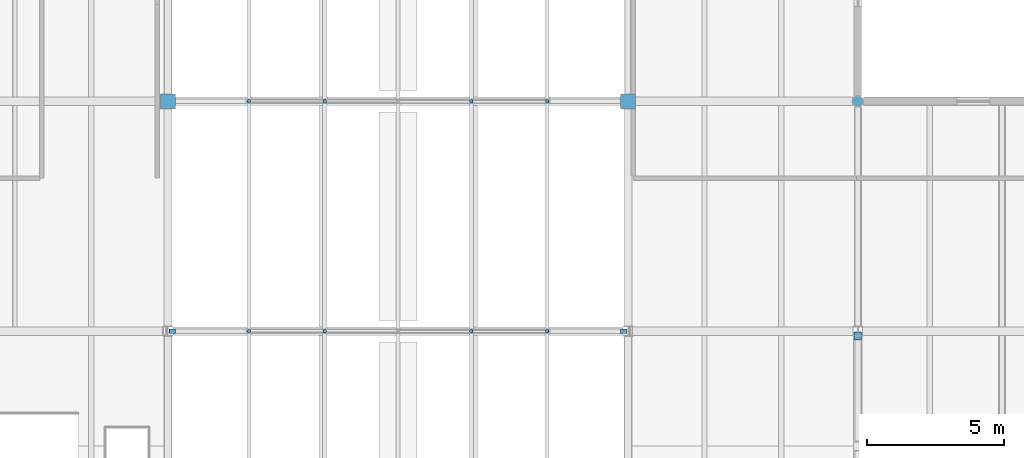
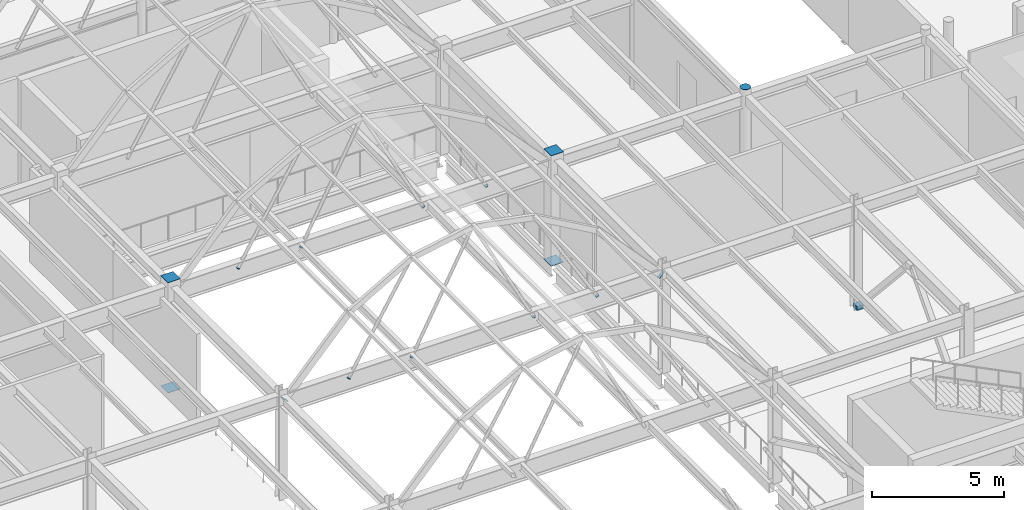
# One storey, part 79 of 103: 16 discrete accessories.
"""IFC4 building model written with IfcOpenShell, lengths in metres."""

import ifcopenshell
import ifcopenshell.guid

model = None  # the IFC model being written
_history = None  # IfcOwnerHistory: only IFC2X3 demands one
_inside = {}  # id of a spatial element -> (the spatial element, [elements in it])
_under = {}  # id of a project, library or spatial element -> (it, [spatial elements below it])
_declared = {}  # id of a project -> (the project, [libraries it declares])
_typed = {}  # id of a type object -> (the type object, [elements of that type])
_made_of = {}  # id of a material, layer set ... -> (it, [elements and type objects made of it])


def new_model(schema):
    """Start an empty IFC model of exactly this schema.

    Asked for "IFC4X3", IfcOpenShell would pick the latest addendum, in which some entities
    have other attributes; the version numbers below select the first issue.
    IFC2X3 requires an IfcOwnerHistory on every rooted entity: one is made here for all.
    """
    global model, _history
    if schema == "IFC4X3":
        model = ifcopenshell.file(schema_version=(4, 3, 0, 0))
    else:
        model = ifcopenshell.file(schema=schema)
    _inside.clear()
    _under.clear()
    _declared.clear()
    _typed.clear()
    _made_of.clear()
    _history = None
    if model.schema == "IFC2X3":
        org = make("IfcOrganization", Name="unknown")
        user = make(
            "IfcPersonAndOrganization",
            ThePerson=make("IfcPerson", FamilyName="unknown"),
            TheOrganization=org,
        )
        app = make(
            "IfcApplication",
            ApplicationDeveloper=org,
            Version="unknown",
            ApplicationFullName="unknown",
            ApplicationIdentifier="unknown",
        )
        _history = make(
            "IfcOwnerHistory",
            OwningUser=user,
            OwningApplication=app,
            ChangeAction="ADDED",
            CreationDate=0,
        )
    return model


def make(cls, **values):
    """One entity of the class cls with the attributes given. An attribute that is None is left unset."""
    return model.create_entity(
        cls, **{name: value for name, value in values.items() if value is not None}
    )


def rooted(cls, **values):
    """An entity with a GlobalId (a new one), such as an element, a storey or a relation."""
    return make(cls, GlobalId=ifcopenshell.guid.new(), OwnerHistory=_history, **values)


def si_unit(unit_type, name, prefix=None):
    """IfcSIUnit, for example si_unit("LENGTHUNIT", "METRE", prefix="MILLI")."""
    return make("IfcSIUnit", UnitType=unit_type, Prefix=prefix, Name=name)


def assignment(units):
    """IfcUnitAssignment: the units of a project."""
    return None if units is None else make("IfcUnitAssignment", Units=units)


def point(xyz):
    """IfcCartesianPoint."""
    return None if xyz is None else make("IfcCartesianPoint", Coordinates=xyz)


def direction(xyz):
    """IfcDirection."""
    return None if xyz is None else make("IfcDirection", DirectionRatios=xyz)


def frame(location, z_axis=None, x_axis=None):
    """IfcAxis2Placement3D, a coordinate frame: its origin and axes. An axis left out is left unset."""
    return make(
        "IfcAxis2Placement3D",
        Location=point(location),
        Axis=direction(z_axis),
        RefDirection=direction(x_axis),
    )


def frame_2d(location, x_axis=None):
    """IfcAxis2Placement2D, a coordinate frame in the plane: its origin and x axis."""
    return make(
        "IfcAxis2Placement2D", Location=point(location), RefDirection=direction(x_axis)
    )


def origin():
    """The frame at (0, 0, 0) with its axes left unset."""
    return frame((0.0, 0.0, 0.0))


def origin_2d():
    """The frame at (0, 0) in the plane with its x axis left unset."""
    return frame_2d((0.0, 0.0))


def place(relative_to, where):
    """IfcLocalPlacement: puts the frame where relative to a parent placement (None: the world)."""
    return make(
        "IfcLocalPlacement", PlacementRelTo=relative_to, RelativePlacement=where
    )


def context(
    kind, dimensions, precision=None, world=None, true_north=None, identifier=None
):
    """IfcGeometricRepresentationContext, for example the 3D "Model" context."""
    return make(
        "IfcGeometricRepresentationContext",
        ContextIdentifier=identifier,
        ContextType=kind,
        CoordinateSpaceDimension=dimensions,
        Precision=precision,
        WorldCoordinateSystem=world,
        TrueNorth=true_north,
    )


def subcontext(parent, identifier, kind, view, scale=None):
    """IfcGeometricRepresentationSubContext, for example "Body" below "Model"."""
    return make(
        "IfcGeometricRepresentationSubContext",
        ContextIdentifier=identifier,
        ContextType=kind,
        ParentContext=parent,
        TargetScale=scale,
        TargetView=view,
    )


def project(units=None, contexts=None):
    """IfcProject with its units and contexts."""
    return rooted(
        "IfcProject",
        Name="project",
        RepresentationContexts=contexts,
        UnitsInContext=assignment(units),
    )


def spatial(cls, under=None, at=None, **own):
    """A site, building, storey or space (cls), placed at a placement, below another one or the project."""
    s = rooted(cls, ObjectPlacement=at, **own)
    if under is not None:
        _under.setdefault(under.id(), (under, []))[1].append(s)
    return s


def profile(cls, at=None, kind="AREA", **sizes):
    """A parametric profile (cls). Its sizes go by their IFC names, for example OverallWidth=200.0."""
    return make(cls, ProfileType=kind, Position=at, **sizes)


def rectangle(**sizes):
    """IfcRectangleProfileDef."""
    return profile("IfcRectangleProfileDef", **sizes)


def circle(**sizes):
    """IfcCircleProfileDef."""
    return profile("IfcCircleProfileDef", **sizes)


def extrude(swept, where, along, depth):
    """IfcExtrudedAreaSolid: the profile swept, set in the frame where, extruded along a direction by depth."""
    return make(
        "IfcExtrudedAreaSolid",
        SweptArea=swept,
        Position=where,
        ExtrudedDirection=direction(along),
        Depth=depth,
    )


def shape(context_of_items, identifier, shape_type, items):
    """IfcShapeRepresentation: the items that make up one representation, for example the "Body"."""
    return make(
        "IfcShapeRepresentation",
        ContextOfItems=context_of_items,
        RepresentationIdentifier=identifier,
        RepresentationType=shape_type,
        Items=items,
    )


def material(Name=None, Category=None):
    """IfcMaterial."""
    return make("IfcMaterial", Name=Name, Category=Category)


def made_of(thing, what):
    """Note that an element or type object is made of a material, layer set ...; save() writes the relation."""
    if what is not None:
        _made_of.setdefault(what.id(), (what, []))[1].append(thing)
    return thing


def type_object(cls, material=None, **own):
    """A type object (cls), such as IfcWallType, which elements share."""
    return made_of(rooted(cls, **own), material)


def element(
    cls,
    number,
    at=None,
    inside=None,
    cuts=None,
    type_object=None,
    material=None,
    context=None,
    identifier="Body",
    shape_type=None,
    held_by="IfcProductDefinitionShape",
    body=None,
    shapes=None,
    **own,
):
    """One element of the class cls, such as IfcWall. Its Tag is "e" and its number.

    at: its placement. inside: the storey or other place that contains it. cuts: it is an
    opening in that element (IfcRelVoidsElement). A single representation is given by context,
    identifier, shape_type and body (its items); several are given by shapes. held_by: the class
    of the entity that holds the representations. save() writes the other relations.
    """
    e = rooted(cls, Tag="e%d" % number, ObjectPlacement=at, **own)
    if body is not None:
        shapes = [shape(context, identifier, shape_type, body)]
    if shapes is not None:
        e.Representation = make(held_by, Representations=shapes)
    if inside is not None:
        _inside.setdefault(inside.id(), (inside, []))[1].append(e)
    if cuts is not None:
        rooted(
            "IfcRelVoidsElement", RelatingBuildingElement=cuts, RelatedOpeningElement=e
        )
    if type_object is not None:
        _typed.setdefault(type_object.id(), (type_object, []))[1].append(e)
    return made_of(e, material)


def aggregate(whole, parts):
    """IfcRelAggregates: a whole, such as a stair, and the parts it consists of."""
    return rooted("IfcRelAggregates", RelatingObject=whole, RelatedObjects=parts)


def save(model, path):
    """Write the relations noted so far, then the file.

    IfcRelAggregates (storeys below a building ...), IfcRelContainedInSpatialStructure (elements
    in a storey), IfcRelDefinesByType, IfcRelAssociatesMaterial and IfcRelDeclares: one each for
    every whole, place, type object, material and project.
    """
    for whole, parts in _under.values():
        aggregate(whole, parts)
    for where, things in _inside.values():
        rooted(
            "IfcRelContainedInSpatialStructure",
            RelatedElements=things,
            RelatingStructure=where,
        )
    for kind, things in _typed.values():
        rooted("IfcRelDefinesByType", RelatedObjects=things, RelatingType=kind)
    for what, things in _made_of.values():
        rooted("IfcRelAssociatesMaterial", RelatedObjects=things, RelatingMaterial=what)
    for by, libraries in _declared.values():
        rooted("IfcRelDeclares", RelatingContext=by, RelatedDefinitions=libraries)
    model.write(path)


model = new_model("IFC4")

# Units and contexts
model_context = context("Model", 3, precision=1e-05, world=origin(), true_north=direction((0.0, 1.0)))
body_context = subcontext(model_context, "Body", "Model", "MODEL_VIEW")
ifc_project = project(units=[si_unit("LENGTHUNIT", "METRE"), si_unit("AREAUNIT", "SQUARE_METRE"), si_unit("VOLUMEUNIT", "CUBIC_METRE"), si_unit("PLANEANGLEUNIT", "RADIAN"), si_unit("MASSUNIT", "GRAM", prefix="KILO"), si_unit("THERMODYNAMICTEMPERATUREUNIT", "KELVIN")], contexts=[model_context])

# Site, building, storey
site_placement = place(None, origin())
site = spatial("IfcSite", under=ifc_project, at=site_placement, CompositionType="ELEMENT")
building_placement = place(site_placement, origin())
building = spatial("IfcBuilding", under=site, at=building_placement, Name="Lustrewick Department Store", CompositionType="ELEMENT")
storey_placement = place(building_placement, frame((0.0, 0.0, 16.5)))
storey = spatial("IfcBuildingStorey", under=building, at=storey_placement, Name="L04", CompositionType="ELEMENT", Elevation=16.5)

# Discrete accessories
ifc_material = material(Name="Structural steel Q355C", Category="steel")
discrete_accessory_type_1 = type_object("IfcDiscreteAccessoryType", Name="GUS-NODE", PredefinedType="BRACKET", material=ifc_material)
discrete_accessory_1_placement = place(storey_placement, frame((100.800048828125, 75.425048828125, 0.06005859375), z_axis=(0.0, 0.0, 1.0), x_axis=(1.0, 0.0, 0.0)))
element("IfcDiscreteAccessory", 1, at=discrete_accessory_1_placement, inside=storey, type_object=discrete_accessory_type_1, Name="L04 V2 Brace Base Gusset Plate", PredefinedType="BRACKET", context=body_context, shape_type="SweptSolid", body=[
    extrude(rectangle(XDim=0.280029296875, YDim=0.280029296875, at=origin_2d()), origin(), (0.0, 0.0, 1.0), 0.179931640625),
])
discrete_accessory_type_2 = type_object("IfcDiscreteAccessoryType", Name="ECP-01", PredefinedType="USERDEFINED", material=ifc_material)
discrete_accessory_2_placement = place(storey_placement, frame((86.675537109375, 75.60009765625, 4.50048828125), z_axis=(0.462788020817, 0.0, -0.886468977341), x_axis=(0.0, -1.0, 0.0)))
element("IfcDiscreteAccessory", 2, at=discrete_accessory_2_placement, inside=storey, type_object=discrete_accessory_type_2, Name="L04 Welded Hollow-Section End-Cap Plate ECP-01", ObjectType="END_CAP_PLATE", PredefinedType="USERDEFINED", context=body_context, shape_type="SweptSolid", body=[
    extrude(circle(Radius=0.070068359375, at=origin_2d()), origin(), (0.0, 0.0, 1.0), 0.01611328125),
])
discrete_accessory_3_placement = place(storey_placement, frame((75.754150390625, 75.60009765625, 4.49951171875), z_axis=(-0.678233515991, 0.0, -0.734846445039), x_axis=(0.0, 1.0, 0.0)))
element("IfcDiscreteAccessory", 3, at=discrete_accessory_3_placement, inside=storey, type_object=discrete_accessory_type_2, Name="L04 Welded Hollow-Section End-Cap Plate ECP-01", ObjectType="END_CAP_PLATE", PredefinedType="USERDEFINED", context=body_context, shape_type="SweptSolid", body=[
    extrude(rectangle(XDim=0.14990234375, YDim=0.300048828125, at=origin_2d()), origin(), (0.0, 0.0, 1.0), 0.01611328125),
])
for number, where, z_axis, x_axis, name in (
    (4, (78.55810546875, 75.60009765625, 4.500244140625), (-0.513782216913, 0.0, -0.857920645272), (0.0, 1.0, 0.0), "L04 Welded Hollow-Section End-Cap Plate ECP-01"),
    (5, (86.675537109375, 84.0, 4.50048828125), (0.462788020817, 0.0, -0.886468977341), (0.0, -1.0, 0.0), "L04 Welded Hollow-Section End-Cap Plate ECP-01"),
):
    element("IfcDiscreteAccessory", number, at=place(storey_placement, frame(where, z_axis=z_axis, x_axis=x_axis)), inside=storey, type_object=discrete_accessory_type_2, Name=name, ObjectType="END_CAP_PLATE", PredefinedType="USERDEFINED", context=body_context, shape_type="SweptSolid", body=[
        extrude(circle(Radius=0.070068359375, at=origin_2d()), origin(), (0.0, 0.0, 1.0), 0.01611328125),
    ])
for number, where, z_axis, x_axis, name in (
    (6, (92.39990234375, 84.0, 5.093994140625), (0.0, 0.0, 1.0), (1.0, 0.0, 0.0), "L04 Welded Hollow-Section End-Cap Plate ECP-01"),
    (7, (92.39990234375, 84.0, 0.006103515625), (0.0, 0.0, -1.0), (1.0, 0.0, 0.0), "L04 Welded Hollow-Section End-Cap Plate ECP-01"),
):
    element("IfcDiscreteAccessory", number, at=place(storey_placement, frame(where, z_axis=z_axis, x_axis=x_axis)), inside=storey, type_object=discrete_accessory_type_2, Name=name, ObjectType="END_CAP_PLATE", PredefinedType="USERDEFINED", context=body_context, shape_type="SweptSolid", body=[
        extrude(rectangle(XDim=0.550048828125, YDim=0.550048828125, at=origin_2d()), origin(), (0.0, 0.0, 1.0), 0.01611328125),
    ])
for number, where, z_axis, x_axis, name in (
    (8, (78.55810546875, 84.0, 4.500244140625), (-0.513782216913, 0.0, -0.857920645272), (0.0, 1.0, 0.0), "L04 Welded Hollow-Section End-Cap Plate ECP-01"),
    (9, (81.324462890625, 84.0, 4.50048828125), (-0.462788020817, 0.0, -0.886468977341), (0.0, 1.0, 0.0), "L04 Welded Hollow-Section End-Cap Plate ECP-01"),
    (10, (89.44189453125, 75.60009765625, 4.500244140625), (0.513782216913, 0.0, -0.857920645272), (0.0, -1.0, 0.0), "L04 Welded Hollow-Section End-Cap Plate ECP-01"),
):
    element("IfcDiscreteAccessory", number, at=place(storey_placement, frame(where, z_axis=z_axis, x_axis=x_axis)), inside=storey, type_object=discrete_accessory_type_2, Name=name, ObjectType="END_CAP_PLATE", PredefinedType="USERDEFINED", context=body_context, shape_type="SweptSolid", body=[
        extrude(circle(Radius=0.070068359375, at=origin_2d()), origin(), (0.0, 0.0, 1.0), 0.01611328125),
    ])
for number, where, z_axis, x_axis, name in (
    (11, (75.60009765625, 84.0, 5.093994140625), (0.0, 0.0, 1.0), (1.0, 0.0, 0.0), "L04 Welded Hollow-Section End-Cap Plate ECP-01"),
    (12, (75.60009765625, 84.0, 0.006103515625), (0.0, 0.0, -1.0), (1.0, 0.0, 0.0), "L04 Welded Hollow-Section End-Cap Plate ECP-01"),
):
    element("IfcDiscreteAccessory", number, at=place(storey_placement, frame(where, z_axis=z_axis, x_axis=x_axis)), inside=storey, type_object=discrete_accessory_type_2, Name=name, ObjectType="END_CAP_PLATE", PredefinedType="USERDEFINED", context=body_context, shape_type="SweptSolid", body=[
        extrude(rectangle(XDim=0.550048828125, YDim=0.550048828125, at=origin_2d()), origin(), (0.0, 0.0, 1.0), 0.01611328125),
    ])
discrete_accessory_4_placement = place(storey_placement, frame((89.44189453125, 84.0, 4.500244140625), z_axis=(0.513782216913, 0.0, -0.857920645272), x_axis=(0.0, -1.0, 0.0)))
element("IfcDiscreteAccessory", 13, at=discrete_accessory_4_placement, inside=storey, type_object=discrete_accessory_type_2, Name="L04 Welded Hollow-Section End-Cap Plate ECP-01", ObjectType="END_CAP_PLATE", PredefinedType="USERDEFINED", context=body_context, shape_type="SweptSolid", body=[
    extrude(circle(Radius=0.070068359375, at=origin_2d()), origin(), (0.0, 0.0, 1.0), 0.01611328125),
])
discrete_accessory_5_placement = place(storey_placement, frame((100.800048828125, 84.0, 5.093994140625), z_axis=(0.0, 0.0, 1.0), x_axis=(1.0, 0.0, 0.0)))
element("IfcDiscreteAccessory", 14, at=discrete_accessory_5_placement, inside=storey, type_object=discrete_accessory_type_2, Name="L04 Welded Hollow-Section End-Cap Plate ECP-01", ObjectType="END_CAP_PLATE", PredefinedType="USERDEFINED", context=body_context, shape_type="SweptSolid", body=[
    extrude(circle(Radius=0.202880859375, at=origin_2d()), origin(), (0.0, 0.0, 1.0), 0.01611328125),
])
discrete_accessory_6_placement = place(storey_placement, frame((81.324462890625, 75.60009765625, 4.50048828125), z_axis=(-0.462788020817, 0.0, -0.886468977341), x_axis=(0.0, 1.0, 0.0)))
element("IfcDiscreteAccessory", 15, at=discrete_accessory_6_placement, inside=storey, type_object=discrete_accessory_type_2, Name="L04 Welded Hollow-Section End-Cap Plate ECP-01", ObjectType="END_CAP_PLATE", PredefinedType="USERDEFINED", context=body_context, shape_type="SweptSolid", body=[
    extrude(circle(Radius=0.070068359375, at=origin_2d()), origin(), (0.0, 0.0, 1.0), 0.01611328125),
])
discrete_accessory_7_placement = place(storey_placement, frame((92.24609375, 75.60009765625, 4.49951171875), z_axis=(0.678233515991, 0.0, -0.734846445039), x_axis=(0.0, 1.0, 0.0)))
element("IfcDiscreteAccessory", 16, at=discrete_accessory_7_placement, inside=storey, type_object=discrete_accessory_type_2, Name="L04 Welded Hollow-Section End-Cap Plate ECP-01", ObjectType="END_CAP_PLATE", PredefinedType="USERDEFINED", context=body_context, shape_type="SweptSolid", body=[
    extrude(rectangle(XDim=0.14990234375, YDim=0.300048828125, at=origin_2d()), origin(), (0.0, 0.0, 1.0), 0.01611328125),
])

save(model, "model.ifc")
